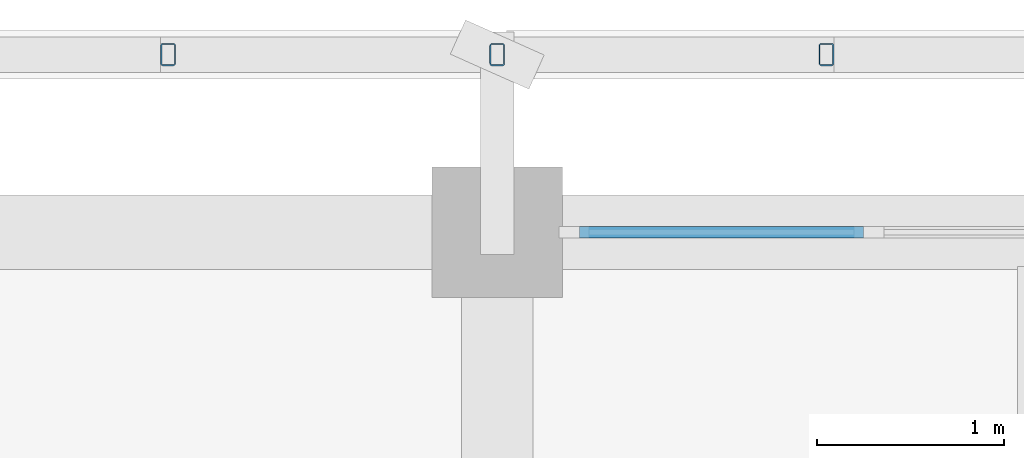
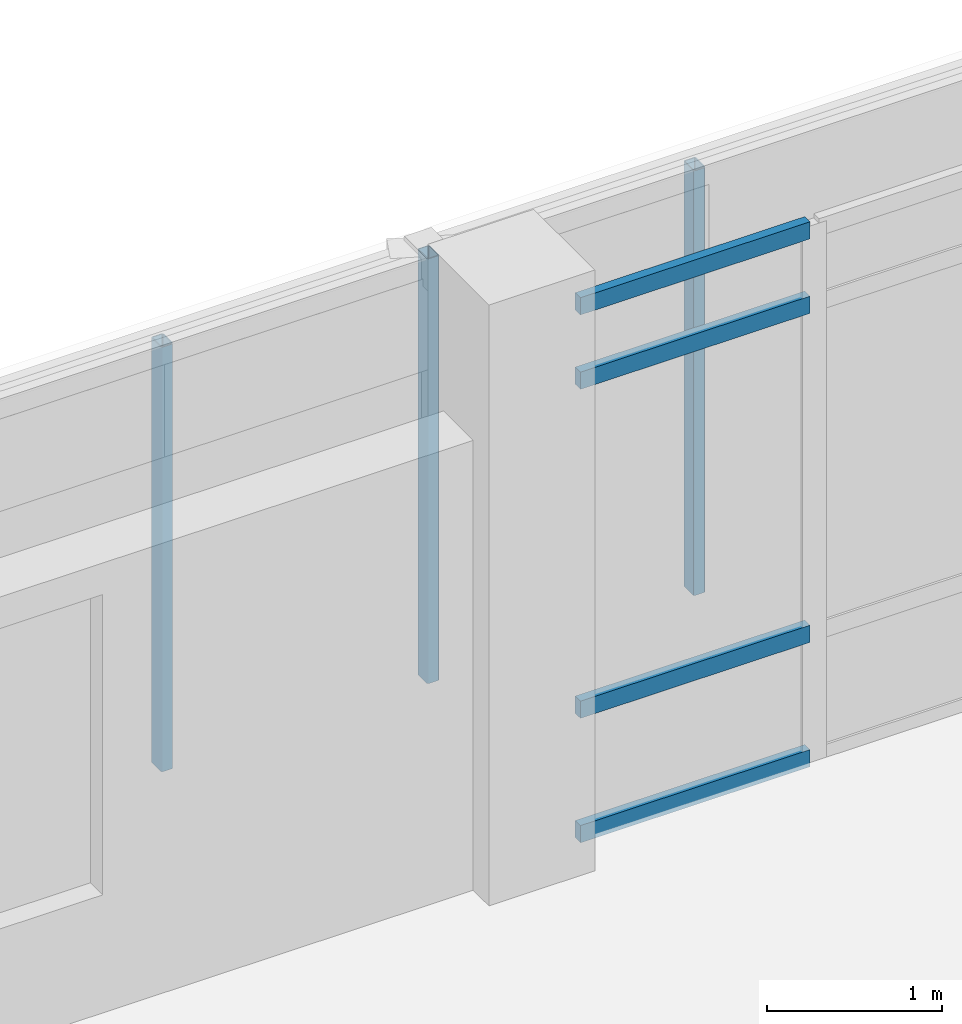
# One storey, part 71 of 137: 7 members, 1 element without a shape of its own.
"""IFC4 building model written with IfcOpenShell, lengths in metres."""

from ifc_helpers import new_model, si_unit, direction, frame, origin, origin_2d, place, context, subcontext, project, spatial, rectangle, hollow_rectangle, extrude, material, material_profile, profile_set, type_object, element, aggregate, save


model = new_model("IFC4")

# Units and contexts
model_context = context("Model", 3, precision=1e-05, world=origin(), true_north=direction((0.0, 1.0)))
body_context = subcontext(model_context, "Body", "Model", "MODEL_VIEW")
ifc_project = project(units=[si_unit("LENGTHUNIT", "METRE"), si_unit("AREAUNIT", "SQUARE_METRE"), si_unit("VOLUMEUNIT", "CUBIC_METRE"), si_unit("PLANEANGLEUNIT", "RADIAN"), si_unit("MASSUNIT", "GRAM", prefix="KILO")], contexts=[model_context])

# Site, building, storey
site_placement = place(None, origin())
site = spatial("IfcSite", under=ifc_project, at=site_placement, CompositionType="ELEMENT")
building_placement = place(site_placement, origin())
building = spatial("IfcBuilding", under=site, at=building_placement, Name="Cinderway Yard Community Centre", CompositionType="ELEMENT")
storey_placement = place(building_placement, frame((0.0, 0.0, 4.800048828125)))
storey = spatial("IfcBuildingStorey", under=building, at=storey_placement, Name="L01", CompositionType="ELEMENT", Elevation=4.800048828125)

# Curtain wall, members
ifc_material_1 = material(Name="Aluminium 6063-T6", Category="aluminium")
curtain_wall_type = type_object("IfcCurtainWallType", Name="ENV-CW-TYPE-27", PredefinedType="USERDEFINED", material=ifc_material_1)
curtain_wall_placement = place(storey_placement, origin())
curtain_wall = element("IfcCurtainWall", 1, at=curtain_wall_placement, inside=storey, type_object=curtain_wall_type, Name="V4 Street Curtain Wall ENV-CW-L01-ST-0132", ObjectType="GLAZED CURTAIN WALL", PredefinedType="USERDEFINED")
ifc_material_profile_1 = material_profile(ifc_material_1, rectangle(XDim=0.06005859375, YDim=0.1201171875, at=origin_2d()), Name="Aluminium 6063-T6")
ifc_profile_set_1 = profile_set([ifc_material_profile_1], Name="Aluminium 6063-T6")
member_type_1 = type_object("IfcMemberType", Name="ENV-CW-TRAN-110", PredefinedType="USERDEFINED", material=ifc_profile_set_1)
member_1_placement = place(storey_placement, frame((102.0400390625, 115.199951171875, 0.030029296875), z_axis=(1.0, 0.0, 0.0), x_axis=(0.0, 1.0, 0.0)))
member_1 = element("IfcMember", 2, at=member_1_placement, type_object=member_type_1, Name="CW-27 transom 1.1", ObjectType="TRANSOM", PredefinedType="USERDEFINED", context=body_context, shape_type="SweptSolid", body=[
    extrude(rectangle(XDim=0.06005859375, YDim=0.1201171875, at=origin_2d()), origin(), (0.0, 0.0, 1.0), 1.51806640625),
])
member_2_placement = place(storey_placement, frame((102.0400390625, 115.199951171875, 0.89990234375), z_axis=(1.0, 0.0, 0.0), x_axis=(0.0, 1.0, 0.0)))
member_2 = element("IfcMember", 3, at=member_2_placement, type_object=member_type_1, Name="CW-27 transom 1.2", ObjectType="TRANSOM", PredefinedType="USERDEFINED", context=body_context, shape_type="SweptSolid", body=[
    extrude(rectangle(XDim=0.06005859375, YDim=0.1201171875, at=origin_2d()), origin(), (0.0, 0.0, 1.0), 1.51806640625),
])
member_3_placement = place(storey_placement, frame((102.0400390625, 115.199951171875, 3.199951171875), z_axis=(1.0, 0.0, 0.0), x_axis=(0.0, 1.0, 0.0)))
member_3 = element("IfcMember", 4, at=member_3_placement, type_object=member_type_1, Name="CW-27 transom 1.3", ObjectType="TRANSOM", PredefinedType="USERDEFINED", context=body_context, shape_type="SweptSolid", body=[
    extrude(rectangle(XDim=0.06005859375, YDim=0.1201171875, at=origin_2d()), origin(), (0.0, 0.0, 1.0), 1.51806640625),
])
member_4_placement = place(storey_placement, frame((102.0400390625, 115.199951171875, 3.719970703125), z_axis=(1.0, 0.0, 0.0), x_axis=(0.0, 1.0, 0.0)))
member_4 = element("IfcMember", 5, at=member_4_placement, type_object=member_type_1, Name="CW-27 transom 1.4", ObjectType="TRANSOM", PredefinedType="USERDEFINED", context=body_context, shape_type="SweptSolid", body=[
    extrude(rectangle(XDim=0.06005859375, YDim=0.1201171875, at=origin_2d()), origin(), (0.0, 0.0, 1.0), 1.51806640625),
])
aggregate(curtain_wall, [member_1, member_2, member_3, member_4])

# Members
ifc_material_2 = material(Name="Steel S355", Category="steel")
ifc_material_profile_2 = material_profile(ifc_material_2, hollow_rectangle(XDim=0.080078125, YDim=0.1201171875, WallThickness=0.00634765625, InnerFilletRadius=0.00634765625, OuterFilletRadius=0.0126953125, at=origin_2d()), Name="Steel S355")
ifc_profile_set_2 = profile_set([ifc_material_profile_2], Name="Steel S355")
member_type_2 = type_object("IfcMemberType", Name="ENV-MEM-SCREEN-RAIL-120", PredefinedType="STRINGER", material=ifc_profile_set_2)
for number, where, z_axis, x_axis, name in (
    (6, (99.840087890625, 116.14990234375, 0.68994140625), (0.0, 0.0, 1.0), (1.0, 0.0, 0.0), "Screen vertical mullion 0055"),
    (7, (101.60009765625, 116.14990234375, 0.68994140625), (0.0, 0.0, 1.0), (1.0, 0.0, 0.0), "Screen vertical mullion 0056"),
    (8, (103.360107421875, 116.14990234375, 0.68994140625), (0.0, 0.0, 1.0), (1.0, 0.0, 0.0), "Screen vertical mullion 0060"),
):
    element("IfcMember", number, at=place(storey_placement, frame(where, z_axis=z_axis, x_axis=x_axis)), inside=storey, type_object=member_type_2, Name=name, PredefinedType="STRINGER", context=body_context, shape_type="SweptSolid", body=[
        extrude(hollow_rectangle(XDim=0.080078125, YDim=0.1201171875, WallThickness=0.00634765625, InnerFilletRadius=0.00634765625, OuterFilletRadius=0.0126953125, at=origin_2d()), origin(), (0.0, 0.0, 1.0), 2.969970703125),
    ])

save(model, "model.ifc")
